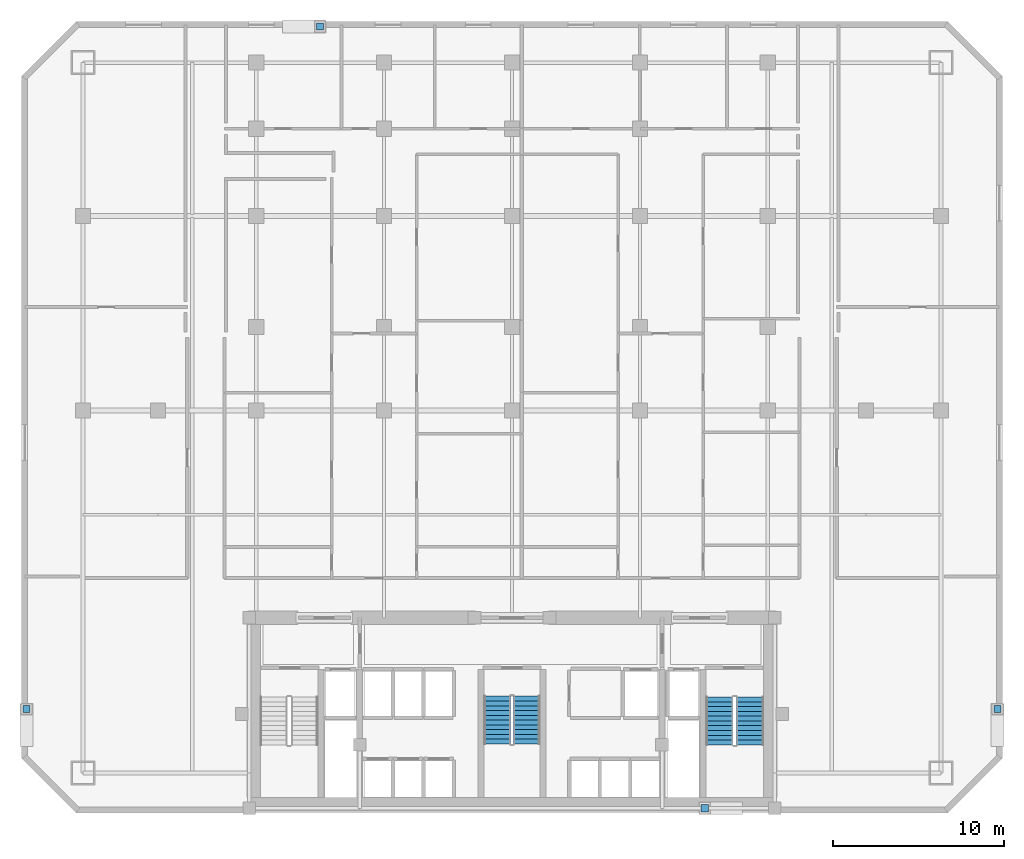
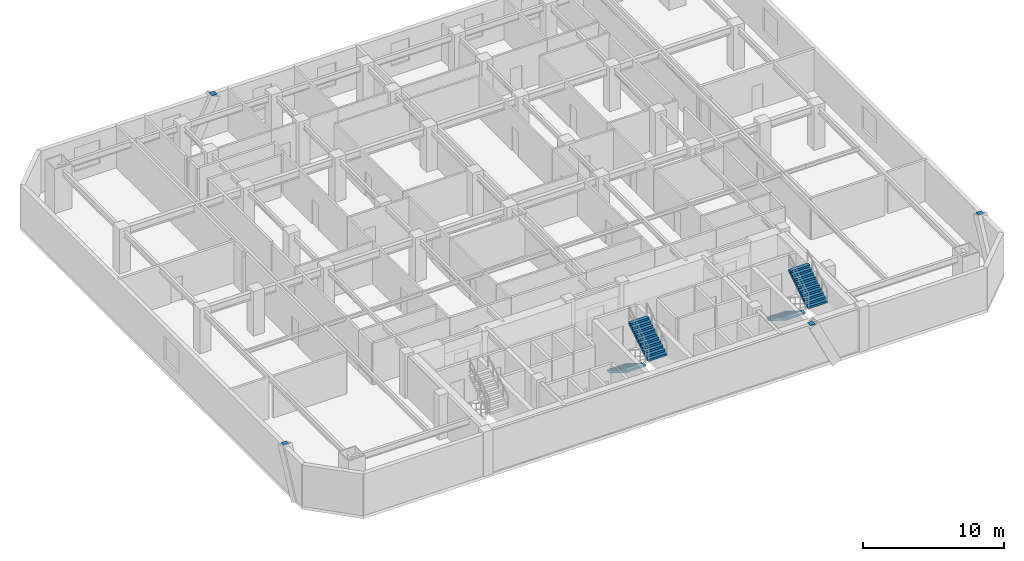
# One storey, part 7 of 8: 4 discrete accessories, 4 stair flights, 2 elements without a shape of their own.
"""IFC4 building model written with IfcOpenShell, lengths in metres."""

import ifcopenshell
import ifcopenshell.guid

model = None  # the IFC model being written
_history = None  # IfcOwnerHistory: only IFC2X3 demands one
_inside = {}  # id of a spatial element -> (the spatial element, [elements in it])
_under = {}  # id of a project, library or spatial element -> (it, [spatial elements below it])
_declared = {}  # id of a project -> (the project, [libraries it declares])
_typed = {}  # id of a type object -> (the type object, [elements of that type])
_made_of = {}  # id of a material, layer set ... -> (it, [elements and type objects made of it])


def new_model(schema):
    """Start an empty IFC model of exactly this schema.

    Asked for "IFC4X3", IfcOpenShell would pick the latest addendum, in which some entities
    have other attributes; the version numbers below select the first issue.
    IFC2X3 requires an IfcOwnerHistory on every rooted entity: one is made here for all.
    """
    global model, _history
    if schema == "IFC4X3":
        model = ifcopenshell.file(schema_version=(4, 3, 0, 0))
    else:
        model = ifcopenshell.file(schema=schema)
    _inside.clear()
    _under.clear()
    _declared.clear()
    _typed.clear()
    _made_of.clear()
    _history = None
    if model.schema == "IFC2X3":
        org = make("IfcOrganization", Name="unknown")
        user = make(
            "IfcPersonAndOrganization",
            ThePerson=make("IfcPerson", FamilyName="unknown"),
            TheOrganization=org,
        )
        app = make(
            "IfcApplication",
            ApplicationDeveloper=org,
            Version="unknown",
            ApplicationFullName="unknown",
            ApplicationIdentifier="unknown",
        )
        _history = make(
            "IfcOwnerHistory",
            OwningUser=user,
            OwningApplication=app,
            ChangeAction="ADDED",
            CreationDate=0,
        )
    return model


def make(cls, **values):
    """One entity of the class cls with the attributes given. An attribute that is None is left unset."""
    return model.create_entity(
        cls, **{name: value for name, value in values.items() if value is not None}
    )


def rooted(cls, **values):
    """An entity with a GlobalId (a new one), such as an element, a storey or a relation."""
    return make(cls, GlobalId=ifcopenshell.guid.new(), OwnerHistory=_history, **values)


def si_unit(unit_type, name, prefix=None):
    """IfcSIUnit, for example si_unit("LENGTHUNIT", "METRE", prefix="MILLI")."""
    return make("IfcSIUnit", UnitType=unit_type, Prefix=prefix, Name=name)


def assignment(units):
    """IfcUnitAssignment: the units of a project."""
    return None if units is None else make("IfcUnitAssignment", Units=units)


def point(xyz):
    """IfcCartesianPoint."""
    return None if xyz is None else make("IfcCartesianPoint", Coordinates=xyz)


def direction(xyz):
    """IfcDirection."""
    return None if xyz is None else make("IfcDirection", DirectionRatios=xyz)


def frame(location, z_axis=None, x_axis=None):
    """IfcAxis2Placement3D, a coordinate frame: its origin and axes. An axis left out is left unset."""
    return make(
        "IfcAxis2Placement3D",
        Location=point(location),
        Axis=direction(z_axis),
        RefDirection=direction(x_axis),
    )


def frame_2d(location, x_axis=None):
    """IfcAxis2Placement2D, a coordinate frame in the plane: its origin and x axis."""
    return make(
        "IfcAxis2Placement2D", Location=point(location), RefDirection=direction(x_axis)
    )


def origin():
    """The frame at (0, 0, 0) with its axes left unset."""
    return frame((0.0, 0.0, 0.0))


def origin_2d():
    """The frame at (0, 0) in the plane with its x axis left unset."""
    return frame_2d((0.0, 0.0))


def place(relative_to, where):
    """IfcLocalPlacement: puts the frame where relative to a parent placement (None: the world)."""
    return make(
        "IfcLocalPlacement", PlacementRelTo=relative_to, RelativePlacement=where
    )


def context(
    kind, dimensions, precision=None, world=None, true_north=None, identifier=None
):
    """IfcGeometricRepresentationContext, for example the 3D "Model" context."""
    return make(
        "IfcGeometricRepresentationContext",
        ContextIdentifier=identifier,
        ContextType=kind,
        CoordinateSpaceDimension=dimensions,
        Precision=precision,
        WorldCoordinateSystem=world,
        TrueNorth=true_north,
    )


def subcontext(parent, identifier, kind, view, scale=None):
    """IfcGeometricRepresentationSubContext, for example "Body" below "Model"."""
    return make(
        "IfcGeometricRepresentationSubContext",
        ContextIdentifier=identifier,
        ContextType=kind,
        ParentContext=parent,
        TargetScale=scale,
        TargetView=view,
    )


def project(units=None, contexts=None):
    """IfcProject with its units and contexts."""
    return rooted(
        "IfcProject",
        Name="project",
        RepresentationContexts=contexts,
        UnitsInContext=assignment(units),
    )


def spatial(cls, under=None, at=None, **own):
    """A site, building, storey or space (cls), placed at a placement, below another one or the project."""
    s = rooted(cls, ObjectPlacement=at, **own)
    if under is not None:
        _under.setdefault(under.id(), (under, []))[1].append(s)
    return s


def polyline(points):
    """IfcPolyline through the points."""
    return make("IfcPolyline", Points=[point(p) for p in points])


def profile(cls, at=None, kind="AREA", **sizes):
    """A parametric profile (cls). Its sizes go by their IFC names, for example OverallWidth=200.0."""
    return make(cls, ProfileType=kind, Position=at, **sizes)


def rectangle(**sizes):
    """IfcRectangleProfileDef."""
    return profile("IfcRectangleProfileDef", **sizes)


def outline(outer, holes=None, kind="AREA"):
    """IfcArbitraryClosedProfileDef: a profile drawn as a closed curve; with holes, ...WithVoids."""
    if holes is None:
        return make("IfcArbitraryClosedProfileDef", ProfileType=kind, OuterCurve=outer)
    return make(
        "IfcArbitraryProfileDefWithVoids",
        ProfileType=kind,
        OuterCurve=outer,
        InnerCurves=holes,
    )


def extrude(swept, where, along, depth):
    """IfcExtrudedAreaSolid: the profile swept, set in the frame where, extruded along a direction by depth."""
    return make(
        "IfcExtrudedAreaSolid",
        SweptArea=swept,
        Position=where,
        ExtrudedDirection=direction(along),
        Depth=depth,
    )


def shape(context_of_items, identifier, shape_type, items):
    """IfcShapeRepresentation: the items that make up one representation, for example the "Body"."""
    return make(
        "IfcShapeRepresentation",
        ContextOfItems=context_of_items,
        RepresentationIdentifier=identifier,
        RepresentationType=shape_type,
        Items=items,
    )


def material(Name=None, Category=None):
    """IfcMaterial."""
    return make("IfcMaterial", Name=Name, Category=Category)


def made_of(thing, what):
    """Note that an element or type object is made of a material, layer set ...; save() writes the relation."""
    if what is not None:
        _made_of.setdefault(what.id(), (what, []))[1].append(thing)
    return thing


def type_object(cls, material=None, **own):
    """A type object (cls), such as IfcWallType, which elements share."""
    return made_of(rooted(cls, **own), material)


def element(
    cls,
    number,
    at=None,
    inside=None,
    cuts=None,
    type_object=None,
    material=None,
    context=None,
    identifier="Body",
    shape_type=None,
    held_by="IfcProductDefinitionShape",
    body=None,
    shapes=None,
    **own,
):
    """One element of the class cls, such as IfcWall. Its Tag is "e" and its number.

    at: its placement. inside: the storey or other place that contains it. cuts: it is an
    opening in that element (IfcRelVoidsElement). A single representation is given by context,
    identifier, shape_type and body (its items); several are given by shapes. held_by: the class
    of the entity that holds the representations. save() writes the other relations.
    """
    e = rooted(cls, Tag="e%d" % number, ObjectPlacement=at, **own)
    if body is not None:
        shapes = [shape(context, identifier, shape_type, body)]
    if shapes is not None:
        e.Representation = make(held_by, Representations=shapes)
    if inside is not None:
        _inside.setdefault(inside.id(), (inside, []))[1].append(e)
    if cuts is not None:
        rooted(
            "IfcRelVoidsElement", RelatingBuildingElement=cuts, RelatedOpeningElement=e
        )
    if type_object is not None:
        _typed.setdefault(type_object.id(), (type_object, []))[1].append(e)
    return made_of(e, material)


def aggregate(whole, parts):
    """IfcRelAggregates: a whole, such as a stair, and the parts it consists of."""
    return rooted("IfcRelAggregates", RelatingObject=whole, RelatedObjects=parts)


def save(model, path):
    """Write the relations noted so far, then the file.

    IfcRelAggregates (storeys below a building ...), IfcRelContainedInSpatialStructure (elements
    in a storey), IfcRelDefinesByType, IfcRelAssociatesMaterial and IfcRelDeclares: one each for
    every whole, place, type object, material and project.
    """
    for whole, parts in _under.values():
        aggregate(whole, parts)
    for where, things in _inside.values():
        rooted(
            "IfcRelContainedInSpatialStructure",
            RelatedElements=things,
            RelatingStructure=where,
        )
    for kind, things in _typed.values():
        rooted("IfcRelDefinesByType", RelatedObjects=things, RelatingType=kind)
    for what, things in _made_of.values():
        rooted("IfcRelAssociatesMaterial", RelatedObjects=things, RelatingMaterial=what)
    for by, libraries in _declared.values():
        rooted("IfcRelDeclares", RelatingContext=by, RelatedDefinitions=libraries)
    model.write(path)


model = new_model("IFC4")

# Units and contexts
model_context = context("Model", 3, precision=1e-05, world=origin(), true_north=direction((0.0, 1.0)))
body_context = subcontext(model_context, "Body", "Model", "MODEL_VIEW")
ifc_project = project(units=[si_unit("LENGTHUNIT", "METRE"), si_unit("AREAUNIT", "SQUARE_METRE"), si_unit("VOLUMEUNIT", "CUBIC_METRE"), si_unit("PLANEANGLEUNIT", "RADIAN"), si_unit("MASSUNIT", "GRAM", prefix="KILO")], contexts=[model_context])

# Site, building, storey
site_placement = place(None, origin())
site = spatial("IfcSite", under=ifc_project, at=site_placement, CompositionType="ELEMENT")
building_placement = place(site_placement, origin())
building = spatial("IfcBuilding", under=site, at=building_placement, Name="Ventersveld Concourse Tower", CompositionType="ELEMENT")
storey_placement = place(building_placement, frame((0.0, 0.0, 33.64990234375)))
storey = spatial("IfcBuildingStorey", under=building, at=storey_placement, Name="L07", CompositionType="ELEMENT", Elevation=33.64990234375)

# Stair, stair flights
ifc_material_1 = material(Name="Concrete C50/60", Category="concrete")
stair_type_1 = type_object("IfcStairType", Name="ST-DOG-155", PredefinedType="HALF_TURN_STAIR", material=ifc_material_1)
stair_1_placement = place(storey_placement, origin())
stair_1 = element("IfcStair", 1, at=stair_1_placement, inside=storey, type_object=stair_type_1, Name="L07 Protected Central Core Escape Stair ST-03", PredefinedType="HALF_TURN_STAIR")
stair_flight_type_1 = type_object("IfcStairFlightType", Name="STF-RC-155", PredefinedType="STRAIGHT", material=ifc_material_1)
stair_flight_1_placement = place(storey_placement, frame((27.875, 6.85009765625, 0.0), z_axis=(0.0, 0.0, 1.0), x_axis=(0.0, -1.0, 0.0)))
stair_flight_1 = element("IfcStairFlight", 2, at=stair_flight_1_placement, type_object=stair_flight_type_1, Name="ST-03 flight 1", NumberOfRisers=11, NumberOfTreads=10, PredefinedType="STRAIGHT", RiserHeight=0.175, TreadLength=0.28, context=body_context, shape_type="SweptSolid", body=[
    extrude(outline(polyline([(0.0, 0.0), (0.0, 0.175048828125), (0.280029296875, 0.175048828125), (0.280029296875, 0.35009765625), (0.56005859375, 0.35009765625), (0.56005859375, 0.52490234375), (0.840087890625, 0.52490234375), (0.840087890625, 0.699951171875), (1.1201171875, 0.699951171875), (1.1201171875, 0.875), (1.39990234375, 0.875), (1.39990234375, 1.050048828125), (1.679931640625, 1.050048828125), (1.679931640625, 1.22509765625), (1.9599609375, 1.22509765625), (1.9599609375, 1.39990234375), (2.239990234375, 1.39990234375), (2.239990234375, 1.574951171875), (2.52001953125, 1.574951171875), (2.52001953125, 1.75), (2.800048828125, 1.75), (2.800048828125, 1.925048828125), (2.800048828125, 1.5732421875), (0.28271484375, 0.0), (0.0, 0.0)])), frame((0.0, 0.77490234375, 0.0), z_axis=(0.0, -1.0, 0.0), x_axis=(1.0, 0.0, 0.0)), (0.0, 0.0, 1.0), 1.550048828125),
])
stair_flight_2_placement = place(storey_placement, frame((29.625, 4.050048828125, 1.925048828125), z_axis=(0.0, 0.0, 1.0), x_axis=(0.0, 1.0, 0.0)))
stair_flight_2 = element("IfcStairFlight", 3, at=stair_flight_2_placement, type_object=stair_flight_type_1, Name="ST-03 flight 2", NumberOfRisers=11, NumberOfTreads=10, PredefinedType="STRAIGHT", RiserHeight=0.175, TreadLength=0.28, context=body_context, shape_type="SweptSolid", body=[
    extrude(outline(polyline([(0.0, 0.0), (0.0, 0.175048828125), (0.280029296875, 0.175048828125), (0.280029296875, 0.35009765625), (0.56005859375, 0.35009765625), (0.56005859375, 0.52490234375), (0.840087890625, 0.52490234375), (0.840087890625, 0.699951171875), (1.1201171875, 0.699951171875), (1.1201171875, 0.875), (1.39990234375, 0.875), (1.39990234375, 1.050048828125), (1.679931640625, 1.050048828125), (1.679931640625, 1.22509765625), (1.9599609375, 1.22509765625), (1.9599609375, 1.39990234375), (2.239990234375, 1.39990234375), (2.239990234375, 1.574951171875), (2.52001953125, 1.574951171875), (2.52001953125, 1.75), (2.800048828125, 1.75), (2.800048828125, 1.925048828125), (2.800048828125, 1.5732421875), (0.28271484375, 0.0), (0.0, 0.0)])), frame((0.0, 0.77490234375, 0.0), z_axis=(0.0, -1.0, 0.0), x_axis=(1.0, 0.0, 0.0)), (0.0, 0.0, 1.0), 1.550048828125),
])
aggregate(stair_1, [stair_flight_1, stair_flight_2])

stair_type_2 = type_object("IfcStairType", Name="ST-DOG-160", PredefinedType="HALF_TURN_STAIR", material=ifc_material_1)
stair_2_placement = place(storey_placement, origin())
stair_2 = element("IfcStair", 4, at=stair_2_placement, inside=storey, type_object=stair_type_2, Name="L07 Protected Tower Escape Stair ST-02", PredefinedType="HALF_TURN_STAIR")
stair_flight_type_2 = type_object("IfcStairFlightType", Name="STF-RC-160", PredefinedType="STRAIGHT", material=ifc_material_1)
stair_flight_3_placement = place(storey_placement, frame((40.919921875, 6.800048828125, 0.0), z_axis=(0.0, 0.0, 1.0), x_axis=(0.0, -1.0, 0.0)))
stair_flight_3 = element("IfcStairFlight", 5, at=stair_flight_3_placement, type_object=stair_flight_type_2, Name="ST-02 flight 1", NumberOfRisers=11, NumberOfTreads=10, PredefinedType="STRAIGHT", RiserHeight=0.175, TreadLength=0.28, context=body_context, shape_type="SweptSolid", body=[
    extrude(outline(polyline([(0.0, 0.0), (0.0, 0.175048828125), (0.280029296875, 0.175048828125), (0.280029296875, 0.35009765625), (0.56005859375, 0.35009765625), (0.56005859375, 0.52490234375), (0.840087890625, 0.52490234375), (0.840087890625, 0.699951171875), (1.1201171875, 0.699951171875), (1.1201171875, 0.875), (1.39990234375, 0.875), (1.39990234375, 1.050048828125), (1.679931640625, 1.050048828125), (1.679931640625, 1.22509765625), (1.9599609375, 1.22509765625), (1.9599609375, 1.39990234375), (2.239990234375, 1.39990234375), (2.239990234375, 1.574951171875), (2.52001953125, 1.574951171875), (2.52001953125, 1.75), (2.800048828125, 1.75), (2.800048828125, 1.925048828125), (2.800048828125, 1.5732421875), (0.28271484375, 0.0), (0.0, 0.0)])), frame((0.0, 0.800048828125, 0.0), z_axis=(0.0, -1.0, 0.0), x_axis=(1.0, 0.0, 0.0)), (0.0, 0.0, 1.0), 1.60009765625),
])
stair_flight_4_placement = place(storey_placement, frame((42.719970703125, 4.0, 1.925048828125), z_axis=(0.0, 0.0, 1.0), x_axis=(0.0, 1.0, 0.0)))
stair_flight_4 = element("IfcStairFlight", 6, at=stair_flight_4_placement, type_object=stair_flight_type_2, Name="ST-02 flight 2", NumberOfRisers=11, NumberOfTreads=10, PredefinedType="STRAIGHT", RiserHeight=0.175, TreadLength=0.28, context=body_context, shape_type="SweptSolid", body=[
    extrude(outline(polyline([(0.0, 0.0), (0.0, 0.175048828125), (0.280029296875, 0.175048828125), (0.280029296875, 0.35009765625), (0.56005859375, 0.35009765625), (0.56005859375, 0.52490234375), (0.840087890625, 0.52490234375), (0.840087890625, 0.699951171875), (1.1201171875, 0.699951171875), (1.1201171875, 0.875), (1.39990234375, 0.875), (1.39990234375, 1.050048828125), (1.679931640625, 1.050048828125), (1.679931640625, 1.22509765625), (1.9599609375, 1.22509765625), (1.9599609375, 1.39990234375), (2.239990234375, 1.39990234375), (2.239990234375, 1.574951171875), (2.52001953125, 1.574951171875), (2.52001953125, 1.75), (2.800048828125, 1.75), (2.800048828125, 1.925048828125), (2.800048828125, 1.5732421875), (0.28271484375, 0.0), (0.0, 0.0)])), frame((0.0, 0.800048828125, 0.0), z_axis=(0.0, -1.0, 0.0), x_axis=(1.0, 0.0, 0.0)), (0.0, 0.0, 1.0), 1.60009765625),
])
aggregate(stair_2, [stair_flight_3, stair_flight_4])

# Discrete accessories
ifc_material_2 = material(Name="Structural steel S355J2", Category="steel")
discrete_accessory_type = type_object("IfcDiscreteAccessoryType", Name="CONN-BRACE-ECP1", PredefinedType="BRACKET", material=ifc_material_2)
for number, where, z_axis, x_axis, name in (
    (7, (17.5, 46.1201171875, 3.580078125), (0.0, 0.0, 1.0), (1.0, 0.0, 0.0), "L07 Steel Brace End Connection Plate ECP1-0199"),
    (8, (40.050048828125, 0.280029296875, 3.580078125), (0.0, 0.0, 1.0), (1.0, 0.0, 0.0), "L07 Steel Brace End Connection Plate ECP1-0204"),
    (9, (0.280029296875, 6.10009765625, 3.580078125), (0.0, 0.0, 1.0), (1.0, 0.0, 0.0), "L07 Steel Brace End Connection Plate ECP1-0209"),
    (10, (57.219970703125, 6.10009765625, 3.580078125), (0.0, 0.0, 1.0), (1.0, 0.0, 0.0), "L07 Steel Brace End Connection Plate ECP1-0214"),
):
    element("IfcDiscreteAccessory", number, at=place(storey_placement, frame(where, z_axis=z_axis, x_axis=x_axis)), inside=storey, type_object=discrete_accessory_type, Name=name, PredefinedType="BRACKET", context=body_context, shape_type="SweptSolid", body=[
        extrude(rectangle(XDim=0.419921875, YDim=0.419921875, at=origin_2d()), origin(), (0.0, 0.0, 1.0), 0.0400390625),
    ])

save(model, "model.ifc")
